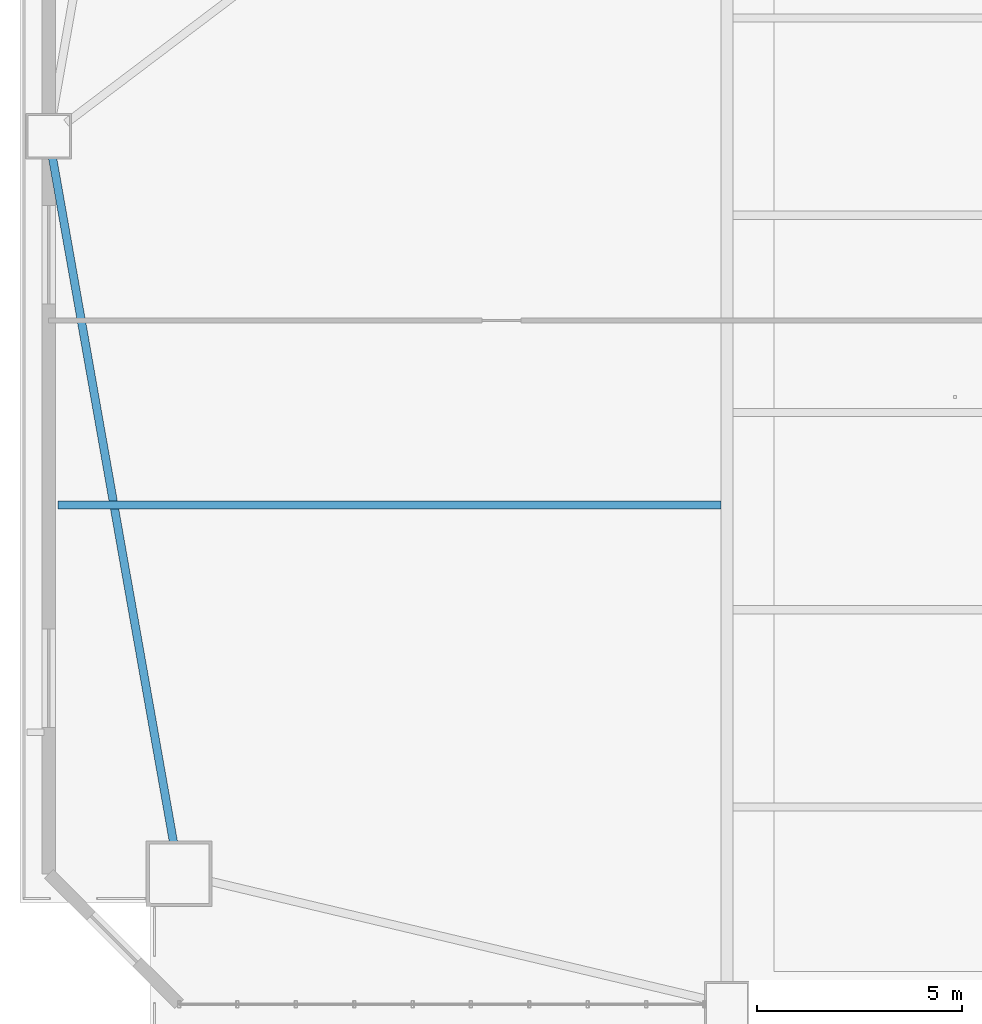
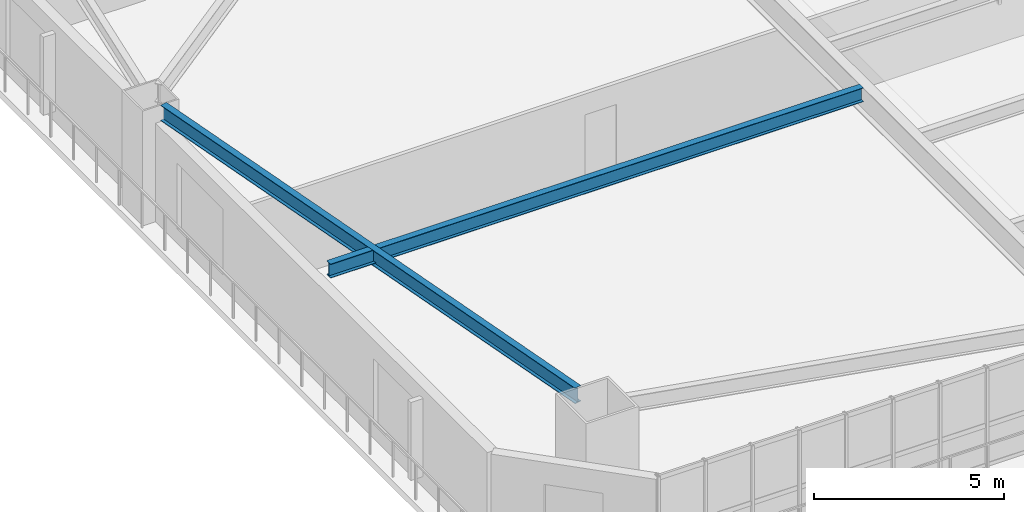
# One storey, part 3 of 17: 2 beams.
"""IFC4 building model written with IfcOpenShell, lengths in metres."""

from ifc_helpers import new_model, si_unit, direction, frame, origin, origin_2d, place, context, subcontext, project, spatial, i_section, extrude, source, transform, mapped, material, material_profile, profile_set, type_object, element, save


model = new_model("IFC4")

# Units and contexts
model_context = context("Model", 3, precision=1e-05, world=origin(), true_north=direction((0.0, 1.0)))
body_context = subcontext(model_context, "Body", "Model", "MODEL_VIEW")
ifc_project = project(units=[si_unit("LENGTHUNIT", "METRE"), si_unit("AREAUNIT", "SQUARE_METRE"), si_unit("VOLUMEUNIT", "CUBIC_METRE"), si_unit("PLANEANGLEUNIT", "RADIAN"), si_unit("MASSUNIT", "GRAM", prefix="KILO")], contexts=[model_context])

# Site, building, storey
site_placement = place(None, origin())
site = spatial("IfcSite", under=ifc_project, at=site_placement, CompositionType="ELEMENT")
building_placement = place(site_placement, origin())
building = spatial("IfcBuilding", under=site, at=building_placement, Name="Giltprow Tower", CompositionType="ELEMENT")
storey_placement = place(building_placement, frame((0.0, 0.0, 37.10009765625)))
storey = spatial("IfcBuildingStorey", under=building, at=storey_placement, Name="L09", CompositionType="ELEMENT", Elevation=37.10009765625)

# Beams
ifc_material = material(Name="Structural steel Q355B", Category="steel")
ifc_material_profile_1 = material_profile(ifc_material, i_section(OverallWidth=0.199951171875, OverallDepth=0.5, WebThickness=0.010009765625, FlangeThickness=0.01611328125, at=origin_2d()), Name="HN 500x200x10x16")
ifc_profile_set_1 = profile_set([ifc_material_profile_1], Name="Structural steel Q355B")
beam_type_1 = type_object("IfcBeamType", Name="BM-SPAN-HN500", PredefinedType="SPANDREL", material=ifc_profile_set_1)
shared_shape_1 = source(origin(), body_context, "Body", "SweptSolid", [
    extrude(i_section(OverallWidth=0.199951171875, OverallDepth=0.5, WebThickness=0.010009765625, FlangeThickness=0.01611328125, at=origin_2d()), origin(), (0.0, 0.0, 1.0), 16.920166015625),
])
beam_1_placement = place(storey_placement, frame((3.427978515625, 24.43603515625, 3.429931640625), z_axis=(0.173998519763, -0.98474591399, 0.0), x_axis=(0.98474591399, 0.173998519763, 0.0)))
element("IfcBeam", 1, at=beam_1_placement, inside=storey, type_object=beam_type_1, Name="L09 Perimeter Spandrel Beam W_MID-MC_SW", PredefinedType="SPANDREL", context=body_context, shape_type="MappedRepresentation", body=[
    mapped(shared_shape_1, transform((0.0, 0.0, 0.0), x_axis=(1.0, 0.0, 0.0), y_axis=(0.0, 1.0, 0.0), z_axis=(0.0, 0.0, 1.0), scale=1.0)),
])
ifc_material_profile_2 = material_profile(ifc_material, i_section(OverallWidth=0.199951171875, OverallDepth=0.449951171875, WebThickness=0.009033203125, FlangeThickness=0.013916015625, at=origin_2d()), Name="HN 450x200x9x14")
ifc_profile_set_2 = profile_set([ifc_material_profile_2], Name="Structural steel Q355B")
beam_type_2 = type_object("IfcBeamType", Name="BM-JOIST-HN450", PredefinedType="JOIST", material=ifc_profile_set_2)
shared_shape_2 = source(origin(), body_context, "Body", "SweptSolid", [
    extrude(i_section(OverallWidth=0.199951171875, OverallDepth=0.449951171875, WebThickness=0.009033203125, FlangeThickness=0.013916015625, at=origin_2d()), origin(), (0.0, 0.0, 1.0), 16.150146484375),
])
beam_2_placement = place(storey_placement, frame((3.554931640625, 15.98193359375, 3.454833984375), z_axis=(1.0, 0.0, 0.0), x_axis=(0.0, 1.0, 0.0)))
element("IfcBeam", 2, at=beam_2_placement, inside=storey, type_object=beam_type_2, Name="L09 West Wing Floor Joist 1", PredefinedType="JOIST", context=body_context, shape_type="MappedRepresentation", body=[
    mapped(shared_shape_2, transform((0.0, 0.0, 0.0), x_axis=(1.0, 0.0, 0.0), y_axis=(0.0, 1.0, 0.0), z_axis=(0.0, 0.0, 1.0), scale=1.0)),
])

save(model, "model.ifc")
